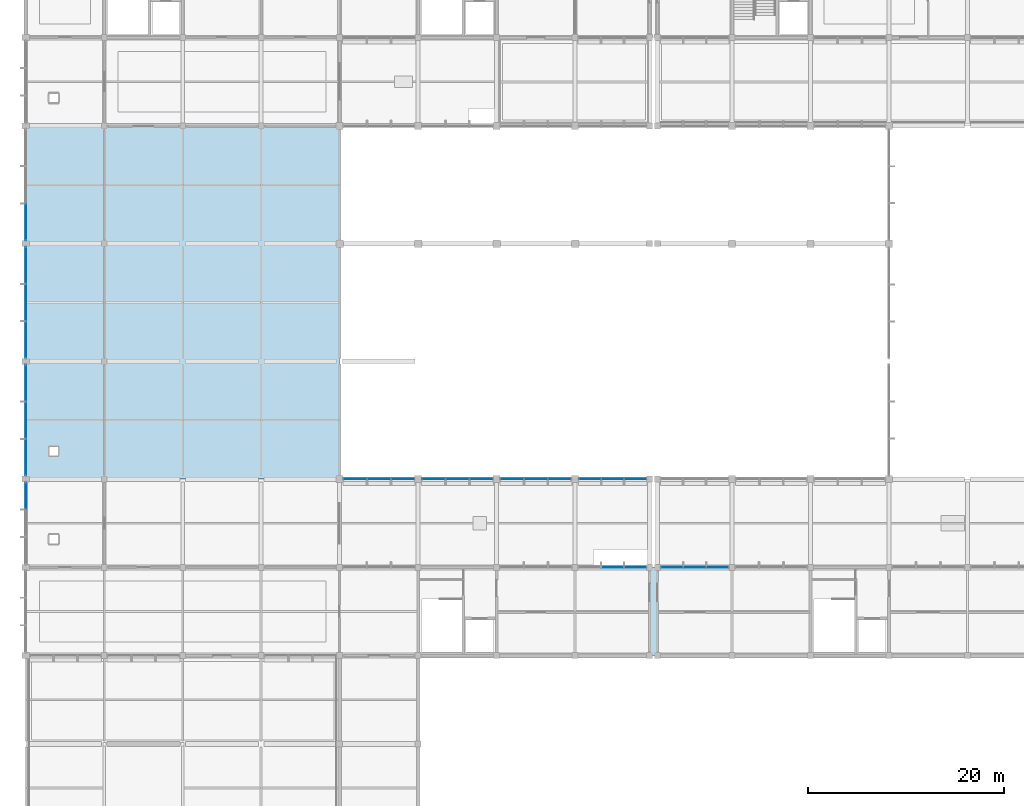
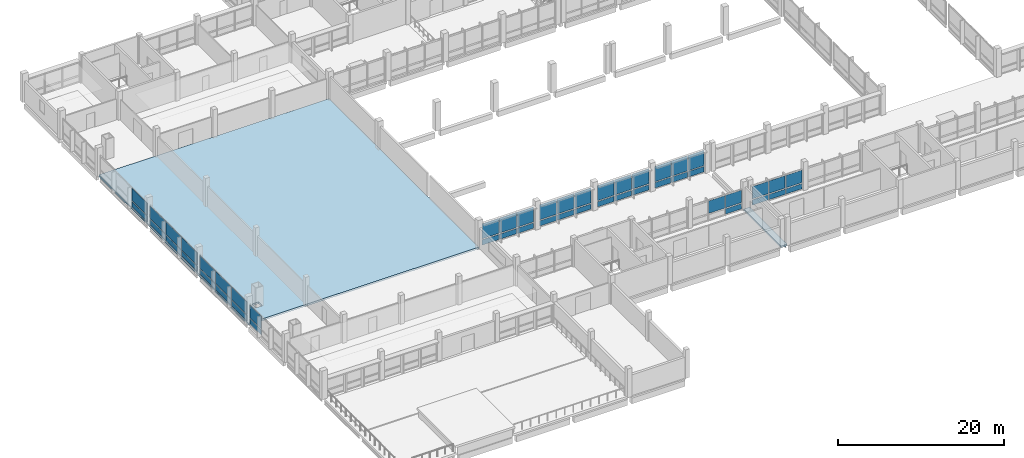
# One storey, part 44 of 70: 49 plates, 2 slabs, 10 elements without a shape of their own.
"""IFC4 building model written with IfcOpenShell, lengths in metres."""

from ifc_helpers import new_model, si_unit, direction, frame, origin, origin_2d, place, context, subcontext, project, spatial, polyline, rectangle, outline, extrude, material, layer, layer_set, type_object, element, aggregate, save


model = new_model("IFC4")

# Units and contexts
model_context = context("Model", 3, precision=1e-05, world=origin(), true_north=direction((0.0, 1.0)))
body_context = subcontext(model_context, "Body", "Model", "MODEL_VIEW")
ifc_project = project(units=[si_unit("LENGTHUNIT", "METRE"), si_unit("AREAUNIT", "SQUARE_METRE"), si_unit("VOLUMEUNIT", "CUBIC_METRE"), si_unit("PLANEANGLEUNIT", "RADIAN"), si_unit("MASSUNIT", "GRAM", prefix="KILO"), si_unit("THERMODYNAMICTEMPERATUREUNIT", "KELVIN"), si_unit("POWERUNIT", "WATT")], contexts=[model_context])

# Site, building, storey
site_placement = place(None, origin())
site = spatial("IfcSite", under=ifc_project, at=site_placement, CompositionType="ELEMENT")
building_placement = place(site_placement, origin())
building = spatial("IfcBuilding", under=site, at=building_placement, Name="Kronsvod Quay Wholesale Market", CompositionType="ELEMENT")
storey_placement = place(building_placement, frame((0.0, 0.0, 9.0)))
storey = spatial("IfcBuildingStorey", under=building, at=storey_placement, Name="L02", CompositionType="ELEMENT", Elevation=9.0)

# Curtain wall, plates
ifc_material_1 = material(Name="Thermally broken aluminium and triple low-E glazing", Category="aluminium")
curtain_wall_type_1 = type_object("IfcCurtainWallType", Name="CW_Clerestory80x32", PredefinedType="NOTDEFINED", material=ifc_material_1)
curtain_wall_1_placement = place(storey_placement, origin())
curtain_wall_1 = element("IfcCurtainWall", 1, at=curtain_wall_1_placement, inside=storey, type_object=curtain_wall_type_1, Name="CWGX-L02-560-540", PredefinedType="NOTDEFINED")
ifc_material_2 = material(Name="Insulated aluminium spandrel panel", Category="aluminium")
ifc_layer_1 = layer(ifc_material_2, 0.048095703125)
ifc_layer_set_1 = layer_set([ifc_layer_1], Name="Insulated aluminium spandrel panel")
plate_type_1 = type_object("IfcPlateType", Name="CWPanel_SP2222x820", PredefinedType="CURTAIN_PANEL", material=ifc_layer_set_1)
plate_1_placement = place(storey_placement, frame((57.521240234375, 54.0, 0.1201171875), z_axis=(0.0, 0.0, 1.0), x_axis=(1.0, 0.0, 0.0)))
plate_1 = element("IfcPlate", 2, at=plate_1_placement, type_object=plate_type_1, Name="CWGX-L02-560-540-PS1", PredefinedType="CURTAIN_PANEL", context=body_context, shape_type="SweptSolid", body=[
    extrude(rectangle(XDim=2.221923828125, YDim=0.048095703125, at=origin_2d()), origin(), (0.0, 0.0, 1.0), 0.820068359375),
])
ifc_material_3 = material(Name="Insulated aluminium spandrel panel", Category="aluminium")
ifc_layer_2 = layer(ifc_material_3, 0.048095703125)
ifc_layer_set_2 = layer_set([ifc_layer_2], Name="Insulated aluminium spandrel panel")
plate_type_2 = type_object("IfcPlateType", Name="CWPanel_SP2223x820", PredefinedType="CURTAIN_PANEL", material=ifc_layer_set_2)
plate_2_placement = place(storey_placement, frame((62.128662109375, 54.0, 0.1201171875), z_axis=(0.0, 0.0, 1.0), x_axis=(1.0, 0.0, 0.0)))
plate_2 = element("IfcPlate", 3, at=plate_2_placement, type_object=plate_type_2, Name="CWGX-L02-560-540-PS3", PredefinedType="CURTAIN_PANEL", context=body_context, shape_type="SweptSolid", body=[
    extrude(rectangle(XDim=2.222900390625, YDim=0.048095703125, at=origin_2d()), origin(), (0.0, 0.0, 1.0), 0.820068359375),
])

# Curtain wall, plate
ifc_material_4 = material(Name="Thermally broken aluminium and triple low-E glazing", Category="aluminium")
curtain_wall_type_2 = type_object("IfcCurtainWallType", Name="CW_Harbour76x33", PredefinedType="NOTDEFINED", material=ifc_material_4)
curtain_wall_2_placement = place(storey_placement, origin())
curtain_wall_2 = element("IfcCurtainWall", 4, at=curtain_wall_2_placement, inside=storey, type_object=curtain_wall_type_2, Name="CWGX-L02-560-450", PredefinedType="NOTDEFINED")
ifc_material_5 = material(Name="Insulated aluminium spandrel panel", Category="aluminium")
ifc_layer_3 = layer(ifc_material_5, 0.048095703125)
ifc_layer_set_3 = layer_set([ifc_layer_3], Name="Insulated aluminium spandrel panel")
plate_type_3 = type_object("IfcPlateType", Name="CWPanel_SP2224x775", PredefinedType="CURTAIN_PANEL", material=ifc_layer_set_3)
plate_3_placement = place(storey_placement, frame((62.117919921875, 45.0, 0.150146484375), z_axis=(0.0, 0.0, 1.0), x_axis=(-1.0, 0.0, 0.0)))
plate_3 = element("IfcPlate", 5, at=plate_3_placement, type_object=plate_type_3, Name="CWGX-L02-560-450-PS1", PredefinedType="CURTAIN_PANEL", context=body_context, shape_type="SweptSolid", body=[
    extrude(rectangle(XDim=2.22412109375, YDim=0.048095703125, at=origin_2d()), origin(), (0.0, 0.0, 1.0), 0.77490234375),
])

# Curtain wall, plates
curtain_wall_3_placement = place(storey_placement, origin())
curtain_wall_3 = element("IfcCurtainWall", 6, at=curtain_wall_3_placement, inside=storey, type_object=curtain_wall_type_2, Name="CWGX-L02-644-450", PredefinedType="NOTDEFINED")
plate_4_placement = place(storey_placement, frame((70.517822265625, 45.0, 0.150146484375), z_axis=(0.0, 0.0, 1.0), x_axis=(-1.0, 0.0, 0.0)))
plate_4 = element("IfcPlate", 7, at=plate_4_placement, type_object=plate_type_3, Name="CWGX-L02-644-450-PS1", PredefinedType="CURTAIN_PANEL", context=body_context, shape_type="SweptSolid", body=[
    extrude(rectangle(XDim=2.22412109375, YDim=0.048095703125, at=origin_2d()), origin(), (0.0, 0.0, 1.0), 0.77490234375),
])
plate_5_placement = place(storey_placement, frame((65.882080078125, 45.0, 0.150146484375), z_axis=(0.0, 0.0, 1.0), x_axis=(-1.0, 0.0, 0.0)))
plate_5 = element("IfcPlate", 8, at=plate_5_placement, type_object=plate_type_3, Name="CWGX-L02-644-450-PS3", PredefinedType="CURTAIN_PANEL", context=body_context, shape_type="SweptSolid", body=[
    extrude(rectangle(XDim=2.22412109375, YDim=0.048095703125, at=origin_2d()), origin(), (0.0, 0.0, 1.0), 0.77490234375),
])

# Plate
ifc_material_6 = material(Name="Insulated aluminium spandrel panel", Category="aluminium")
ifc_layer_4 = layer(ifc_material_6, 0.048095703125)
ifc_layer_set_4 = layer_set([ifc_layer_4], Name="Insulated aluminium spandrel panel")
plate_type_4 = type_object("IfcPlateType", Name="CWPanel_SP2255x820", PredefinedType="CURTAIN_PANEL", material=ifc_layer_set_4)
plate_6_placement = place(storey_placement, frame((59.824951171875, 54.0, 0.1201171875), z_axis=(0.0, 0.0, 1.0), x_axis=(1.0, 0.0, 0.0)))
plate_6 = element("IfcPlate", 9, at=plate_6_placement, type_object=plate_type_4, Name="CWGX-L02-560-540-PS2", PredefinedType="CURTAIN_PANEL", context=body_context, shape_type="SweptSolid", body=[
    extrude(rectangle(XDim=2.2548828125, YDim=0.048095703125, at=origin_2d()), origin(), (0.0, 0.0, 1.0), 0.820068359375),
])

ifc_material_7 = material(Name="Insulated aluminium spandrel panel", Category="aluminium")
ifc_layer_5 = layer(ifc_material_7, 0.048095703125)
ifc_layer_set_5 = layer_set([ifc_layer_5], Name="Insulated aluminium spandrel panel")
plate_type_5 = type_object("IfcPlateType", Name="CWPanel_SP2262x775", PredefinedType="CURTAIN_PANEL", material=ifc_layer_set_5)
plate_7_placement = place(storey_placement, frame((68.199951171875, 45.0, 0.150146484375), z_axis=(0.0, 0.0, 1.0), x_axis=(-1.0, 0.0, 0.0)))
plate_7 = element("IfcPlate", 10, at=plate_7_placement, type_object=plate_type_5, Name="CWGX-L02-644-450-PS2", PredefinedType="CURTAIN_PANEL", context=body_context, shape_type="SweptSolid", body=[
    extrude(rectangle(XDim=2.261962890625, YDim=0.048095703125, at=origin_2d()), origin(), (0.0, 0.0, 1.0), 0.77490234375),
])

# Curtain wall, plates
curtain_wall_4_placement = place(storey_placement, origin())
curtain_wall_4 = element("IfcCurtainWall", 11, at=curtain_wall_4_placement, inside=storey, type_object=curtain_wall_type_1, Name="CWGX-L02-320-540", PredefinedType="NOTDEFINED")
ifc_material_8 = material(Name="Insulated aluminium spandrel panel", Category="aluminium")
ifc_layer_6 = layer(ifc_material_8, 0.048095703125)
ifc_layer_set_6 = layer_set([ifc_layer_6], Name="Insulated aluminium spandrel panel")
plate_type_6 = type_object("IfcPlateType", Name="CWPanel_SP2324x775", PredefinedType="CURTAIN_PANEL", material=ifc_layer_set_6)
plate_8_placement = place(storey_placement, frame((33.58203125, 54.0, 0.150146484375), z_axis=(0.0, 0.0, 1.0), x_axis=(1.0, 0.0, 0.0)))
plate_8 = element("IfcPlate", 12, at=plate_8_placement, type_object=plate_type_6, Name="CWGX-L02-320-540-PS1", PredefinedType="CURTAIN_PANEL", context=body_context, shape_type="SweptSolid", body=[
    extrude(rectangle(XDim=2.323974609375, YDim=0.048095703125, at=origin_2d()), origin(), (0.0, 0.0, 1.0), 0.77490234375),
])
plate_9_placement = place(storey_placement, frame((38.41796875, 54.0, 0.150146484375), z_axis=(0.0, 0.0, 1.0), x_axis=(1.0, 0.0, 0.0)))
plate_9 = element("IfcPlate", 13, at=plate_9_placement, type_object=plate_type_6, Name="CWGX-L02-320-540-PS3", PredefinedType="CURTAIN_PANEL", context=body_context, shape_type="SweptSolid", body=[
    extrude(rectangle(XDim=2.323974609375, YDim=0.048095703125, at=origin_2d()), origin(), (0.0, 0.0, 1.0), 0.77490234375),
])

curtain_wall_5_placement = place(storey_placement, origin())
curtain_wall_5 = element("IfcCurtainWall", 14, at=curtain_wall_5_placement, inside=storey, type_object=curtain_wall_type_1, Name="CWGX-L02-400-540", PredefinedType="NOTDEFINED")
plate_10_placement = place(storey_placement, frame((41.58203125, 54.0, 0.150146484375), z_axis=(0.0, 0.0, 1.0), x_axis=(1.0, 0.0, 0.0)))
plate_10 = element("IfcPlate", 15, at=plate_10_placement, type_object=plate_type_6, Name="CWGX-L02-400-540-PS1", PredefinedType="CURTAIN_PANEL", context=body_context, shape_type="SweptSolid", body=[
    extrude(rectangle(XDim=2.323974609375, YDim=0.048095703125, at=origin_2d()), origin(), (0.0, 0.0, 1.0), 0.77490234375),
])
plate_11_placement = place(storey_placement, frame((46.41796875, 54.0, 0.150146484375), z_axis=(0.0, 0.0, 1.0), x_axis=(1.0, 0.0, 0.0)))
plate_11 = element("IfcPlate", 16, at=plate_11_placement, type_object=plate_type_6, Name="CWGX-L02-400-540-PS3", PredefinedType="CURTAIN_PANEL", context=body_context, shape_type="SweptSolid", body=[
    extrude(rectangle(XDim=2.323974609375, YDim=0.048095703125, at=origin_2d()), origin(), (0.0, 0.0, 1.0), 0.77490234375),
])

curtain_wall_6_placement = place(storey_placement, origin())
curtain_wall_6 = element("IfcCurtainWall", 17, at=curtain_wall_6_placement, inside=storey, type_object=curtain_wall_type_1, Name="CWGX-L02-480-540", PredefinedType="NOTDEFINED")
plate_12_placement = place(storey_placement, frame((49.58203125, 54.0, 0.150146484375), z_axis=(0.0, 0.0, 1.0), x_axis=(1.0, 0.0, 0.0)))
plate_12 = element("IfcPlate", 18, at=plate_12_placement, type_object=plate_type_6, Name="CWGX-L02-480-540-PS1", PredefinedType="CURTAIN_PANEL", context=body_context, shape_type="SweptSolid", body=[
    extrude(rectangle(XDim=2.323974609375, YDim=0.048095703125, at=origin_2d()), origin(), (0.0, 0.0, 1.0), 0.77490234375),
])
plate_13_placement = place(storey_placement, frame((54.41796875, 54.0, 0.150146484375), z_axis=(0.0, 0.0, 1.0), x_axis=(1.0, 0.0, 0.0)))
plate_13 = element("IfcPlate", 19, at=plate_13_placement, type_object=plate_type_6, Name="CWGX-L02-480-540-PS3", PredefinedType="CURTAIN_PANEL", context=body_context, shape_type="SweptSolid", body=[
    extrude(rectangle(XDim=2.323974609375, YDim=0.048095703125, at=origin_2d()), origin(), (0.0, 0.0, 1.0), 0.77490234375),
])

# Plate
ifc_material_9 = material(Name="Insulated aluminium spandrel panel", Category="aluminium")
ifc_layer_7 = layer(ifc_material_9, 0.048095703125)
ifc_layer_set_7 = layer_set([ifc_layer_7], Name="Insulated aluminium spandrel panel")
plate_type_7 = type_object("IfcPlateType", Name="CWPanel_SP2362x775", PredefinedType="CURTAIN_PANEL", material=ifc_layer_set_7)
plate_14_placement = place(storey_placement, frame((36.0, 54.0, 0.150146484375), z_axis=(0.0, 0.0, 1.0), x_axis=(1.0, 0.0, 0.0)))
plate_14 = element("IfcPlate", 20, at=plate_14_placement, type_object=plate_type_7, Name="CWGX-L02-320-540-PS2", PredefinedType="CURTAIN_PANEL", context=body_context, shape_type="SweptSolid", body=[
    extrude(rectangle(XDim=2.362060546875, YDim=0.048095703125, at=origin_2d()), origin(), (0.0, 0.0, 1.0), 0.77490234375),
])

plate_15_placement = place(storey_placement, frame((44.0, 54.0, 0.150146484375), z_axis=(0.0, 0.0, 1.0), x_axis=(1.0, 0.0, 0.0)))
plate_15 = element("IfcPlate", 21, at=plate_15_placement, type_object=plate_type_7, Name="CWGX-L02-400-540-PS2", PredefinedType="CURTAIN_PANEL", context=body_context, shape_type="SweptSolid", body=[
    extrude(rectangle(XDim=2.362060546875, YDim=0.048095703125, at=origin_2d()), origin(), (0.0, 0.0, 1.0), 0.77490234375),
])

plate_16_placement = place(storey_placement, frame((52.0, 54.0, 0.150146484375), z_axis=(0.0, 0.0, 1.0), x_axis=(1.0, 0.0, 0.0)))
plate_16 = element("IfcPlate", 22, at=plate_16_placement, type_object=plate_type_7, Name="CWGX-L02-480-540-PS2", PredefinedType="CURTAIN_PANEL", context=body_context, shape_type="SweptSolid", body=[
    extrude(rectangle(XDim=2.362060546875, YDim=0.048095703125, at=origin_2d()), origin(), (0.0, 0.0, 1.0), 0.77490234375),
])

# Curtain wall, plate
ifc_material_10 = material(Name="Thermally broken aluminium and triple low-E glazing", Category="aluminium")
curtain_wall_type_3 = type_object("IfcCurtainWallType", Name="CW_Wing90x33", PredefinedType="NOTDEFINED", material=ifc_material_10)
curtain_wall_7_placement = place(storey_placement, origin())
curtain_wall_7 = element("IfcCurtainWall", 23, at=curtain_wall_7_placement, inside=storey, type_object=curtain_wall_type_3, Name="CWGY-L02-0-450", PredefinedType="NOTDEFINED")
ifc_material_11 = material(Name="Insulated aluminium spandrel panel", Category="aluminium")
ifc_layer_8 = layer(ifc_material_11, 0.048095703125)
ifc_layer_set_8 = layer_set([ifc_layer_8], Name="Insulated aluminium spandrel panel")
plate_type_8 = type_object("IfcPlateType", Name="CWPanel_SP2691x775", PredefinedType="CURTAIN_PANEL", material=ifc_layer_set_8)
plate_17_placement = place(storey_placement, frame((0.0, 52.28466796875, 0.150146484375), z_axis=(0.0, 0.0, 1.0), x_axis=(0.0, -1.0, 0.0)))
plate_17 = element("IfcPlate", 24, at=plate_17_placement, type_object=plate_type_8, Name="CWGY-L02-0-450-PS1", PredefinedType="CURTAIN_PANEL", context=body_context, shape_type="SweptSolid", body=[
    extrude(rectangle(XDim=2.69091796875, YDim=0.048095703125, at=origin_2d()), origin(), (0.0, 0.0, 1.0), 0.77490234375),
])

# Curtain wall, plates
ifc_material_12 = material(Name="Thermally broken aluminium and triple low-E glazing", Category="aluminium")
curtain_wall_type_4 = type_object("IfcCurtainWallType", Name="CW_WestLab90x37", PredefinedType="NOTDEFINED", material=ifc_material_12)
curtain_wall_8_placement = place(storey_placement, origin())
curtain_wall_8 = element("IfcCurtainWall", 25, at=curtain_wall_8_placement, inside=storey, type_object=curtain_wall_type_4, Name="CWGY-L02-0-540", PredefinedType="NOTDEFINED")
ifc_material_13 = material(Name="Insulated aluminium spandrel panel", Category="aluminium")
ifc_layer_9 = layer(ifc_material_13, 0.048095703125)
ifc_layer_set_9 = layer_set([ifc_layer_9], Name="Insulated aluminium spandrel panel")
plate_type_9 = type_object("IfcPlateType", Name="CWPanel_SP3691x775", PredefinedType="CURTAIN_PANEL", material=ifc_layer_set_9)
plate_18_placement = place(storey_placement, frame((0.0, 63.78466796875, 0.150146484375), z_axis=(0.0, 0.0, 1.0), x_axis=(0.0, -1.0, 0.0)))
plate_18 = element("IfcPlate", 26, at=plate_18_placement, type_object=plate_type_9, Name="CWGY-L02-0-540-PS1", PredefinedType="CURTAIN_PANEL", context=body_context, shape_type="SweptSolid", body=[
    extrude(rectangle(XDim=3.69091796875, YDim=0.048095703125, at=origin_2d()), origin(), (0.0, 0.0, 1.0), 0.77490234375),
])
plate_19_placement = place(storey_placement, frame((0.0, 56.21533203125, 0.150146484375), z_axis=(0.0, 0.0, 1.0), x_axis=(0.0, -1.0, 0.0)))
plate_19 = element("IfcPlate", 27, at=plate_19_placement, type_object=plate_type_9, Name="CWGY-L02-0-540-PS3", PredefinedType="CURTAIN_PANEL", context=body_context, shape_type="SweptSolid", body=[
    extrude(rectangle(XDim=3.69091796875, YDim=0.048095703125, at=origin_2d()), origin(), (0.0, 0.0, 1.0), 0.77490234375),
])

curtain_wall_9_placement = place(storey_placement, origin())
curtain_wall_9 = element("IfcCurtainWall", 28, at=curtain_wall_9_placement, inside=storey, type_object=curtain_wall_type_4, Name="CWGY-L02-0-660", PredefinedType="NOTDEFINED")
plate_20_placement = place(storey_placement, frame((0.0, 75.78466796875, 0.150146484375), z_axis=(0.0, 0.0, 1.0), x_axis=(0.0, -1.0, 0.0)))
plate_20 = element("IfcPlate", 29, at=plate_20_placement, type_object=plate_type_9, Name="CWGY-L02-0-660-PS1", PredefinedType="CURTAIN_PANEL", context=body_context, shape_type="SweptSolid", body=[
    extrude(rectangle(XDim=3.69091796875, YDim=0.048095703125, at=origin_2d()), origin(), (0.0, 0.0, 1.0), 0.77490234375),
])
plate_21_placement = place(storey_placement, frame((0.0, 68.21533203125, 0.150146484375), z_axis=(0.0, 0.0, 1.0), x_axis=(0.0, -1.0, 0.0)))
plate_21 = element("IfcPlate", 30, at=plate_21_placement, type_object=plate_type_9, Name="CWGY-L02-0-660-PS3", PredefinedType="CURTAIN_PANEL", context=body_context, shape_type="SweptSolid", body=[
    extrude(rectangle(XDim=3.69091796875, YDim=0.048095703125, at=origin_2d()), origin(), (0.0, 0.0, 1.0), 0.77490234375),
])

# Curtain wall, plate
curtain_wall_10_placement = place(storey_placement, origin())
curtain_wall_10 = element("IfcCurtainWall", 31, at=curtain_wall_10_placement, inside=storey, type_object=curtain_wall_type_4, Name="CWGY-L02-0-780", PredefinedType="NOTDEFINED")
plate_22_placement = place(storey_placement, frame((0.0, 80.21533203125, 0.150146484375), z_axis=(0.0, 0.0, 1.0), x_axis=(0.0, -1.0, 0.0)))
plate_22 = element("IfcPlate", 32, at=plate_22_placement, type_object=plate_type_9, Name="CWGY-L02-0-780-PS3", PredefinedType="CURTAIN_PANEL", context=body_context, shape_type="SweptSolid", body=[
    extrude(rectangle(XDim=3.69091796875, YDim=0.048095703125, at=origin_2d()), origin(), (0.0, 0.0, 1.0), 0.77490234375),
])

# Plate
ifc_material_14 = material(Name="Insulated aluminium spandrel panel", Category="aluminium")
ifc_layer_10 = layer(ifc_material_14, 0.048095703125)
ifc_layer_set_10 = layer_set([ifc_layer_10], Name="Insulated aluminium spandrel panel")
plate_type_10 = type_object("IfcPlateType", Name="CWPanel_SP3728x775", PredefinedType="CURTAIN_PANEL", material=ifc_layer_set_10)
plate_23_placement = place(storey_placement, frame((0.0, 60.0, 0.150146484375), z_axis=(0.0, 0.0, 1.0), x_axis=(0.0, -1.0, 0.0)))
plate_23 = element("IfcPlate", 33, at=plate_23_placement, type_object=plate_type_10, Name="CWGY-L02-0-540-PS2", PredefinedType="CURTAIN_PANEL", context=body_context, shape_type="SweptSolid", body=[
    extrude(rectangle(XDim=3.72802734375, YDim=0.048095703125, at=origin_2d()), origin(), (0.0, 0.0, 1.0), 0.77490234375),
])

plate_24_placement = place(storey_placement, frame((0.0, 72.0, 0.150146484375), z_axis=(0.0, 0.0, 1.0), x_axis=(0.0, -1.0, 0.0)))
plate_24 = element("IfcPlate", 34, at=plate_24_placement, type_object=plate_type_10, Name="CWGY-L02-0-660-PS2", PredefinedType="CURTAIN_PANEL", context=body_context, shape_type="SweptSolid", body=[
    extrude(rectangle(XDim=3.72802734375, YDim=0.048095703125, at=origin_2d()), origin(), (0.0, 0.0, 1.0), 0.77490234375),
])

ifc_material_15 = material(Name="Triple low-E insulated glazing", Category="glass")
ifc_layer_11 = layer(ifc_material_15, 0.0439453125)
ifc_layer_set_11 = layer_set([ifc_layer_11], Name="Triple low-E insulated glazing")
plate_type_11 = type_object("IfcPlateType", Name="CWPanel_VS2222x2240", PredefinedType="CURTAIN_PANEL", material=ifc_layer_set_11)
plate_25_placement = place(storey_placement, frame((57.521240234375, 54.0, 1.06005859375), z_axis=(0.0, 0.0, 1.0), x_axis=(1.0, 0.0, 0.0)))
plate_25 = element("IfcPlate", 35, at=plate_25_placement, type_object=plate_type_11, Name="CWGX-L02-560-540-PV1", PredefinedType="CURTAIN_PANEL", context=body_context, shape_type="SweptSolid", body=[
    extrude(rectangle(XDim=2.221923828125, YDim=0.0439453125, at=origin_2d()), origin(), (0.0, 0.0, 1.0), 2.239990234375),
])

ifc_material_16 = material(Name="Triple low-E insulated glazing", Category="glass")
ifc_layer_12 = layer(ifc_material_16, 0.0439453125)
ifc_layer_set_12 = layer_set([ifc_layer_12], Name="Triple low-E insulated glazing")
plate_type_12 = type_object("IfcPlateType", Name="CWPanel_VS2223x2240", PredefinedType="CURTAIN_PANEL", material=ifc_layer_set_12)
plate_26_placement = place(storey_placement, frame((62.128662109375, 54.0, 1.06005859375), z_axis=(0.0, 0.0, 1.0), x_axis=(1.0, 0.0, 0.0)))
plate_26 = element("IfcPlate", 36, at=plate_26_placement, type_object=plate_type_12, Name="CWGX-L02-560-540-PV3", PredefinedType="CURTAIN_PANEL", context=body_context, shape_type="SweptSolid", body=[
    extrude(rectangle(XDim=2.222900390625, YDim=0.0439453125, at=origin_2d()), origin(), (0.0, 0.0, 1.0), 2.239990234375),
])

ifc_material_17 = material(Name="Triple low-E insulated glazing", Category="glass")
ifc_layer_13 = layer(ifc_material_17, 0.0439453125)
ifc_layer_set_13 = layer_set([ifc_layer_13], Name="Triple low-E insulated glazing")
plate_type_13 = type_object("IfcPlateType", Name="CWPanel_VS2224x1825", PredefinedType="CURTAIN_PANEL", material=ifc_layer_set_13)
plate_27_placement = place(storey_placement, frame((62.117919921875, 45.0, 1.0751953125), z_axis=(0.0, 0.0, 1.0), x_axis=(-1.0, 0.0, 0.0)))
plate_27 = element("IfcPlate", 37, at=plate_27_placement, type_object=plate_type_13, Name="CWGX-L02-560-450-PV1", PredefinedType="CURTAIN_PANEL", context=body_context, shape_type="SweptSolid", body=[
    extrude(rectangle(XDim=2.22412109375, YDim=0.0439453125, at=origin_2d()), origin(), (0.0, 0.0, 1.0), 1.824951171875),
])

plate_28_placement = place(storey_placement, frame((70.517822265625, 45.0, 1.0751953125), z_axis=(0.0, 0.0, 1.0), x_axis=(-1.0, 0.0, 0.0)))
plate_28 = element("IfcPlate", 38, at=plate_28_placement, type_object=plate_type_13, Name="CWGX-L02-644-450-PV1", PredefinedType="CURTAIN_PANEL", context=body_context, shape_type="SweptSolid", body=[
    extrude(rectangle(XDim=2.22412109375, YDim=0.0439453125, at=origin_2d()), origin(), (0.0, 0.0, 1.0), 1.824951171875),
])

plate_29_placement = place(storey_placement, frame((65.882080078125, 45.0, 1.0751953125), z_axis=(0.0, 0.0, 1.0), x_axis=(-1.0, 0.0, 0.0)))
plate_29 = element("IfcPlate", 39, at=plate_29_placement, type_object=plate_type_13, Name="CWGX-L02-644-450-PV3", PredefinedType="CURTAIN_PANEL", context=body_context, shape_type="SweptSolid", body=[
    extrude(rectangle(XDim=2.22412109375, YDim=0.0439453125, at=origin_2d()), origin(), (0.0, 0.0, 1.0), 1.824951171875),
])

ifc_material_18 = material(Name="Triple low-E insulated glazing", Category="glass")
ifc_layer_14 = layer(ifc_material_18, 0.0439453125)
ifc_layer_set_14 = layer_set([ifc_layer_14], Name="Triple low-E insulated glazing")
plate_type_14 = type_object("IfcPlateType", Name="CWPanel_VS2255x2240", PredefinedType="CURTAIN_PANEL", material=ifc_layer_set_14)
plate_30_placement = place(storey_placement, frame((59.824951171875, 54.0, 1.06005859375), z_axis=(0.0, 0.0, 1.0), x_axis=(1.0, 0.0, 0.0)))
plate_30 = element("IfcPlate", 40, at=plate_30_placement, type_object=plate_type_14, Name="CWGX-L02-560-540-PV2", PredefinedType="CURTAIN_PANEL", context=body_context, shape_type="SweptSolid", body=[
    extrude(rectangle(XDim=2.2548828125, YDim=0.0439453125, at=origin_2d()), origin(), (0.0, 0.0, 1.0), 2.239990234375),
])

aggregate(curtain_wall_1, [plate_1, plate_25, plate_6, plate_30, plate_2, plate_26])

ifc_material_19 = material(Name="Triple low-E insulated glazing", Category="glass")
ifc_layer_15 = layer(ifc_material_19, 0.0439453125)
ifc_layer_set_15 = layer_set([ifc_layer_15], Name="Triple low-E insulated glazing")
plate_type_15 = type_object("IfcPlateType", Name="CWPanel_VS2262x1825", PredefinedType="CURTAIN_PANEL", material=ifc_layer_set_15)
plate_31_placement = place(storey_placement, frame((59.800048828125, 45.0, 1.0751953125), z_axis=(0.0, 0.0, 1.0), x_axis=(-1.0, 0.0, 0.0)))
plate_31 = element("IfcPlate", 41, at=plate_31_placement, type_object=plate_type_15, Name="CWGX-L02-560-450-PV2", PredefinedType="CURTAIN_PANEL", context=body_context, shape_type="SweptSolid", body=[
    extrude(rectangle(XDim=2.261962890625, YDim=0.0439453125, at=origin_2d()), origin(), (0.0, 0.0, 1.0), 1.824951171875),
])

aggregate(curtain_wall_2, [plate_3, plate_27, plate_31])

plate_32_placement = place(storey_placement, frame((68.199951171875, 45.0, 1.0751953125), z_axis=(0.0, 0.0, 1.0), x_axis=(-1.0, 0.0, 0.0)))
plate_32 = element("IfcPlate", 42, at=plate_32_placement, type_object=plate_type_15, Name="CWGX-L02-644-450-PV2", PredefinedType="CURTAIN_PANEL", context=body_context, shape_type="SweptSolid", body=[
    extrude(rectangle(XDim=2.261962890625, YDim=0.0439453125, at=origin_2d()), origin(), (0.0, 0.0, 1.0), 1.824951171875),
])

aggregate(curtain_wall_3, [plate_4, plate_28, plate_7, plate_32, plate_5, plate_29])

ifc_material_20 = material(Name="Triple low-E insulated glazing", Category="glass")
ifc_layer_16 = layer(ifc_material_20, 0.0439453125)
ifc_layer_set_16 = layer_set([ifc_layer_16], Name="Triple low-E insulated glazing")
plate_type_16 = type_object("IfcPlateType", Name="CWPanel_VS2324x2195", PredefinedType="CURTAIN_PANEL", material=ifc_layer_set_16)
plate_33_placement = place(storey_placement, frame((33.58203125, 54.0, 1.0751953125), z_axis=(0.0, 0.0, 1.0), x_axis=(1.0, 0.0, 0.0)))
plate_33 = element("IfcPlate", 43, at=plate_33_placement, type_object=plate_type_16, Name="CWGX-L02-320-540-PV1", PredefinedType="CURTAIN_PANEL", context=body_context, shape_type="SweptSolid", body=[
    extrude(rectangle(XDim=2.323974609375, YDim=0.0439453125, at=origin_2d()), origin(), (0.0, 0.0, 1.0), 2.195068359375),
])

plate_34_placement = place(storey_placement, frame((38.41796875, 54.0, 1.0751953125), z_axis=(0.0, 0.0, 1.0), x_axis=(1.0, 0.0, 0.0)))
plate_34 = element("IfcPlate", 44, at=plate_34_placement, type_object=plate_type_16, Name="CWGX-L02-320-540-PV3", PredefinedType="CURTAIN_PANEL", context=body_context, shape_type="SweptSolid", body=[
    extrude(rectangle(XDim=2.323974609375, YDim=0.0439453125, at=origin_2d()), origin(), (0.0, 0.0, 1.0), 2.195068359375),
])

plate_35_placement = place(storey_placement, frame((41.58203125, 54.0, 1.0751953125), z_axis=(0.0, 0.0, 1.0), x_axis=(1.0, 0.0, 0.0)))
plate_35 = element("IfcPlate", 45, at=plate_35_placement, type_object=plate_type_16, Name="CWGX-L02-400-540-PV1", PredefinedType="CURTAIN_PANEL", context=body_context, shape_type="SweptSolid", body=[
    extrude(rectangle(XDim=2.323974609375, YDim=0.0439453125, at=origin_2d()), origin(), (0.0, 0.0, 1.0), 2.195068359375),
])

plate_36_placement = place(storey_placement, frame((46.41796875, 54.0, 1.0751953125), z_axis=(0.0, 0.0, 1.0), x_axis=(1.0, 0.0, 0.0)))
plate_36 = element("IfcPlate", 46, at=plate_36_placement, type_object=plate_type_16, Name="CWGX-L02-400-540-PV3", PredefinedType="CURTAIN_PANEL", context=body_context, shape_type="SweptSolid", body=[
    extrude(rectangle(XDim=2.323974609375, YDim=0.0439453125, at=origin_2d()), origin(), (0.0, 0.0, 1.0), 2.195068359375),
])

plate_37_placement = place(storey_placement, frame((49.58203125, 54.0, 1.0751953125), z_axis=(0.0, 0.0, 1.0), x_axis=(1.0, 0.0, 0.0)))
plate_37 = element("IfcPlate", 47, at=plate_37_placement, type_object=plate_type_16, Name="CWGX-L02-480-540-PV1", PredefinedType="CURTAIN_PANEL", context=body_context, shape_type="SweptSolid", body=[
    extrude(rectangle(XDim=2.323974609375, YDim=0.0439453125, at=origin_2d()), origin(), (0.0, 0.0, 1.0), 2.195068359375),
])

plate_38_placement = place(storey_placement, frame((54.41796875, 54.0, 1.0751953125), z_axis=(0.0, 0.0, 1.0), x_axis=(1.0, 0.0, 0.0)))
plate_38 = element("IfcPlate", 48, at=plate_38_placement, type_object=plate_type_16, Name="CWGX-L02-480-540-PV3", PredefinedType="CURTAIN_PANEL", context=body_context, shape_type="SweptSolid", body=[
    extrude(rectangle(XDim=2.323974609375, YDim=0.0439453125, at=origin_2d()), origin(), (0.0, 0.0, 1.0), 2.195068359375),
])

ifc_material_21 = material(Name="Triple low-E insulated glazing", Category="glass")
ifc_layer_17 = layer(ifc_material_21, 0.0439453125)
ifc_layer_set_17 = layer_set([ifc_layer_17], Name="Triple low-E insulated glazing")
plate_type_17 = type_object("IfcPlateType", Name="CWPanel_VS2362x2195", PredefinedType="CURTAIN_PANEL", material=ifc_layer_set_17)
plate_39_placement = place(storey_placement, frame((36.0, 54.0, 1.0751953125), z_axis=(0.0, 0.0, 1.0), x_axis=(1.0, 0.0, 0.0)))
plate_39 = element("IfcPlate", 49, at=plate_39_placement, type_object=plate_type_17, Name="CWGX-L02-320-540-PV2", PredefinedType="CURTAIN_PANEL", context=body_context, shape_type="SweptSolid", body=[
    extrude(rectangle(XDim=2.362060546875, YDim=0.0439453125, at=origin_2d()), origin(), (0.0, 0.0, 1.0), 2.195068359375),
])

aggregate(curtain_wall_4, [plate_8, plate_33, plate_14, plate_39, plate_9, plate_34])

plate_40_placement = place(storey_placement, frame((44.0, 54.0, 1.0751953125), z_axis=(0.0, 0.0, 1.0), x_axis=(1.0, 0.0, 0.0)))
plate_40 = element("IfcPlate", 50, at=plate_40_placement, type_object=plate_type_17, Name="CWGX-L02-400-540-PV2", PredefinedType="CURTAIN_PANEL", context=body_context, shape_type="SweptSolid", body=[
    extrude(rectangle(XDim=2.362060546875, YDim=0.0439453125, at=origin_2d()), origin(), (0.0, 0.0, 1.0), 2.195068359375),
])

aggregate(curtain_wall_5, [plate_10, plate_35, plate_15, plate_40, plate_11, plate_36])

plate_41_placement = place(storey_placement, frame((52.0, 54.0, 1.0751953125), z_axis=(0.0, 0.0, 1.0), x_axis=(1.0, 0.0, 0.0)))
plate_41 = element("IfcPlate", 51, at=plate_41_placement, type_object=plate_type_17, Name="CWGX-L02-480-540-PV2", PredefinedType="CURTAIN_PANEL", context=body_context, shape_type="SweptSolid", body=[
    extrude(rectangle(XDim=2.362060546875, YDim=0.0439453125, at=origin_2d()), origin(), (0.0, 0.0, 1.0), 2.195068359375),
])

aggregate(curtain_wall_6, [plate_12, plate_37, plate_16, plate_41, plate_13, plate_38])

ifc_material_22 = material(Name="Triple low-E insulated glazing", Category="glass")
ifc_layer_18 = layer(ifc_material_22, 0.0439453125)
ifc_layer_set_18 = layer_set([ifc_layer_18], Name="Triple low-E insulated glazing")
plate_type_18 = type_object("IfcPlateType", Name="CWPanel_VS2691x1825", PredefinedType="CURTAIN_PANEL", material=ifc_layer_set_18)
plate_42_placement = place(storey_placement, frame((0.0, 52.28466796875, 1.0751953125), z_axis=(0.0, 0.0, 1.0), x_axis=(0.0, -1.0, 0.0)))
plate_42 = element("IfcPlate", 52, at=plate_42_placement, type_object=plate_type_18, Name="CWGY-L02-0-450-PV1", PredefinedType="CURTAIN_PANEL", context=body_context, shape_type="SweptSolid", body=[
    extrude(rectangle(XDim=2.69091796875, YDim=0.0439453125, at=origin_2d()), origin(), (0.0, 0.0, 1.0), 1.824951171875),
])

aggregate(curtain_wall_7, [plate_17, plate_42])

ifc_material_23 = material(Name="Triple low-E insulated glazing", Category="glass")
ifc_layer_19 = layer(ifc_material_23, 0.0439453125)
ifc_layer_set_19 = layer_set([ifc_layer_19], Name="Triple low-E insulated glazing")
plate_type_19 = type_object("IfcPlateType", Name="CWPanel_VS3691x1825", PredefinedType="CURTAIN_PANEL", material=ifc_layer_set_19)
plate_43_placement = place(storey_placement, frame((0.0, 63.78466796875, 1.0751953125), z_axis=(0.0, 0.0, 1.0), x_axis=(0.0, -1.0, 0.0)))
plate_43 = element("IfcPlate", 53, at=plate_43_placement, type_object=plate_type_19, Name="CWGY-L02-0-540-PV1", PredefinedType="CURTAIN_PANEL", context=body_context, shape_type="SweptSolid", body=[
    extrude(rectangle(XDim=3.69091796875, YDim=0.0439453125, at=origin_2d()), origin(), (0.0, 0.0, 1.0), 1.824951171875),
])

plate_44_placement = place(storey_placement, frame((0.0, 56.21533203125, 1.0751953125), z_axis=(0.0, 0.0, 1.0), x_axis=(0.0, -1.0, 0.0)))
plate_44 = element("IfcPlate", 54, at=plate_44_placement, type_object=plate_type_19, Name="CWGY-L02-0-540-PV3", PredefinedType="CURTAIN_PANEL", context=body_context, shape_type="SweptSolid", body=[
    extrude(rectangle(XDim=3.69091796875, YDim=0.0439453125, at=origin_2d()), origin(), (0.0, 0.0, 1.0), 1.824951171875),
])

plate_45_placement = place(storey_placement, frame((0.0, 75.78466796875, 1.0751953125), z_axis=(0.0, 0.0, 1.0), x_axis=(0.0, -1.0, 0.0)))
plate_45 = element("IfcPlate", 55, at=plate_45_placement, type_object=plate_type_19, Name="CWGY-L02-0-660-PV1", PredefinedType="CURTAIN_PANEL", context=body_context, shape_type="SweptSolid", body=[
    extrude(rectangle(XDim=3.69091796875, YDim=0.0439453125, at=origin_2d()), origin(), (0.0, 0.0, 1.0), 1.824951171875),
])

plate_46_placement = place(storey_placement, frame((0.0, 68.21533203125, 1.0751953125), z_axis=(0.0, 0.0, 1.0), x_axis=(0.0, -1.0, 0.0)))
plate_46 = element("IfcPlate", 56, at=plate_46_placement, type_object=plate_type_19, Name="CWGY-L02-0-660-PV3", PredefinedType="CURTAIN_PANEL", context=body_context, shape_type="SweptSolid", body=[
    extrude(rectangle(XDim=3.69091796875, YDim=0.0439453125, at=origin_2d()), origin(), (0.0, 0.0, 1.0), 1.824951171875),
])

plate_47_placement = place(storey_placement, frame((0.0, 80.21533203125, 1.0751953125), z_axis=(0.0, 0.0, 1.0), x_axis=(0.0, -1.0, 0.0)))
plate_47 = element("IfcPlate", 57, at=plate_47_placement, type_object=plate_type_19, Name="CWGY-L02-0-780-PV3", PredefinedType="CURTAIN_PANEL", context=body_context, shape_type="SweptSolid", body=[
    extrude(rectangle(XDim=3.69091796875, YDim=0.0439453125, at=origin_2d()), origin(), (0.0, 0.0, 1.0), 1.824951171875),
])

aggregate(curtain_wall_10, [plate_22, plate_47])

ifc_material_24 = material(Name="Triple low-E insulated glazing", Category="glass")
ifc_layer_20 = layer(ifc_material_24, 0.0439453125)
ifc_layer_set_20 = layer_set([ifc_layer_20], Name="Triple low-E insulated glazing")
plate_type_20 = type_object("IfcPlateType", Name="CWPanel_VS3728x1825", PredefinedType="CURTAIN_PANEL", material=ifc_layer_set_20)
plate_48_placement = place(storey_placement, frame((0.0, 60.0, 1.0751953125), z_axis=(0.0, 0.0, 1.0), x_axis=(0.0, -1.0, 0.0)))
plate_48 = element("IfcPlate", 58, at=plate_48_placement, type_object=plate_type_20, Name="CWGY-L02-0-540-PV2", PredefinedType="CURTAIN_PANEL", context=body_context, shape_type="SweptSolid", body=[
    extrude(rectangle(XDim=3.72802734375, YDim=0.0439453125, at=origin_2d()), origin(), (0.0, 0.0, 1.0), 1.824951171875),
])

aggregate(curtain_wall_8, [plate_18, plate_43, plate_23, plate_48, plate_19, plate_44])

plate_49_placement = place(storey_placement, frame((0.0, 72.0, 1.0751953125), z_axis=(0.0, 0.0, 1.0), x_axis=(0.0, -1.0, 0.0)))
plate_49 = element("IfcPlate", 59, at=plate_49_placement, type_object=plate_type_20, Name="CWGY-L02-0-660-PV2", PredefinedType="CURTAIN_PANEL", context=body_context, shape_type="SweptSolid", body=[
    extrude(rectangle(XDim=3.72802734375, YDim=0.0439453125, at=origin_2d()), origin(), (0.0, 0.0, 1.0), 1.824951171875),
])

aggregate(curtain_wall_9, [plate_20, plate_45, plate_24, plate_49, plate_21, plate_46])

# Slabs
ifc_material_25 = material(Name="Concrete C35/45", Category="concrete")
ifc_layer_21 = layer(ifc_material_25, 0.27001953125)
ifc_layer_set_21 = layer_set([ifc_layer_21], Name="Concrete C35/45")
slab_type_1 = type_object("IfcSlabType", Name="Slab_Floor270", PredefinedType="FLOOR", material=ifc_layer_set_21)
slab_1_placement = place(storey_placement, frame((0.0, 0.0, -0.27001953125)))
element("IfcSlab", 60, at=slab_1_placement, inside=storey, type_object=slab_type_1, Name="SLB-L02-106", PredefinedType="FLOOR", context=body_context, shape_type="SweptSolid", body=[
    extrude(outline(polyline([(0.0, 54.0), (32.0, 54.0), (32.0, 90.0), (0.0, 90.0), (0.0, 54.0)]), holes=[polyline([(2.39990234375, 56.39990234375), (3.300048828125, 56.39990234375), (3.300048828125, 57.300048828125), (2.39990234375, 57.300048828125), (2.39990234375, 56.39990234375)])]), origin(), (0.0, 0.0, 1.0), 0.27001953125),
])
ifc_material_26 = material(Name="Concrete C35/45", Category="concrete")
ifc_layer_22 = layer(ifc_material_26, 0.2451171875)
ifc_layer_set_22 = layer_set([ifc_layer_22], Name="Concrete C35/45")
slab_type_2 = type_object("IfcSlabType", Name="Slab_JointBridge245", PredefinedType="FLOOR", material=ifc_layer_set_22)
slab_2_placement = place(storey_placement, frame((0.0, 0.0, -0.2451171875)))
element("IfcSlab", 61, at=slab_2_placement, inside=storey, type_object=slab_type_2, Name="SLB-MJ-L02-J1-36", PredefinedType="FLOOR", context=body_context, shape_type="SweptSolid", body=[
    extrude(outline(polyline([(63.580078125, 36.0), (64.419921875, 36.0), (64.419921875, 45.0), (63.580078125, 45.0), (63.580078125, 36.0)])), origin(), (0.0, 0.0, 1.0), 0.2451171875),
])

save(model, "model.ifc")
